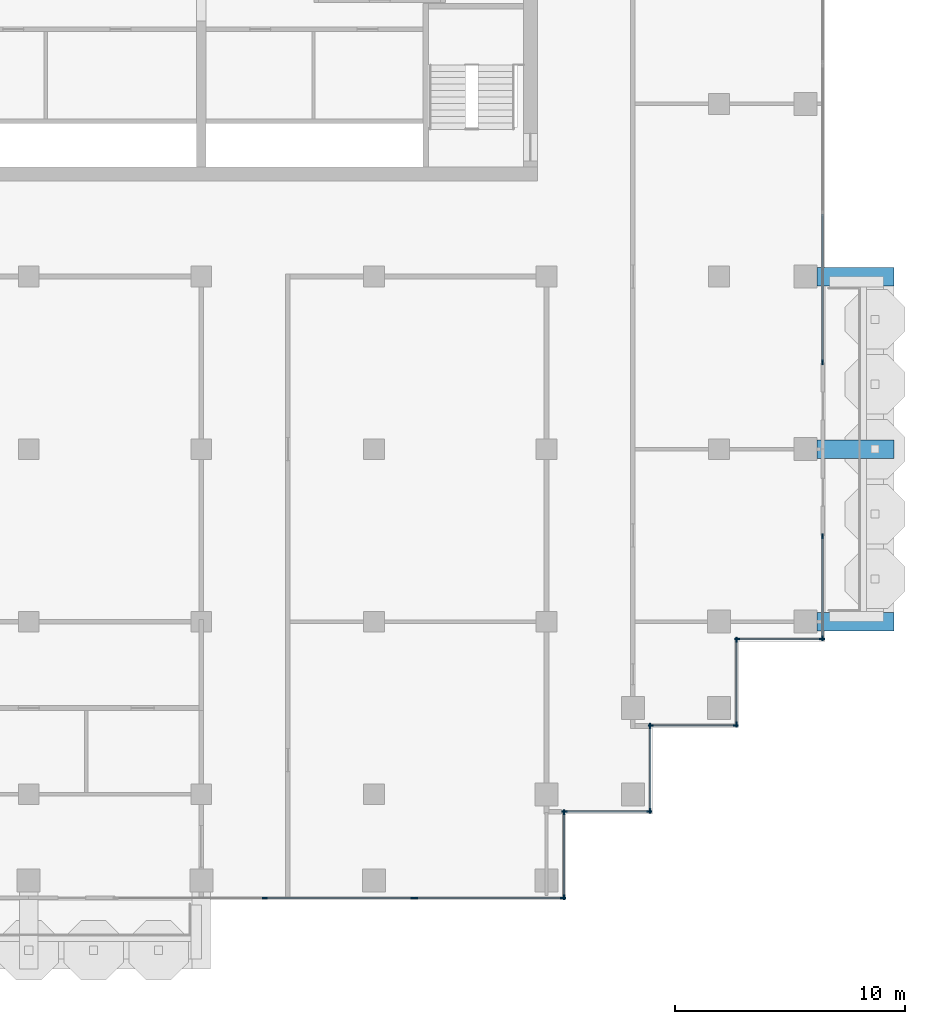
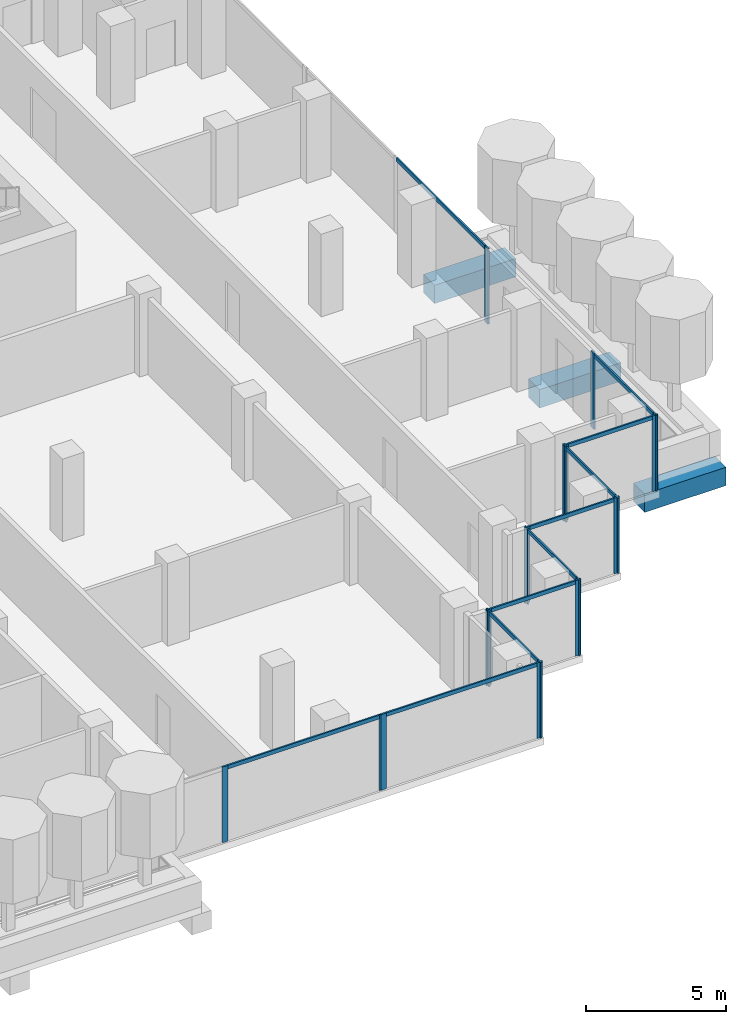
# One storey, part 4 of 17: 29 members, 3 beams, 10 elements without a shape of their own.
"""IFC4 building model written with IfcOpenShell, lengths in metres."""

import ifcopenshell
import ifcopenshell.guid

model = None  # the IFC model being written
_history = None  # IfcOwnerHistory: only IFC2X3 demands one
_inside = {}  # id of a spatial element -> (the spatial element, [elements in it])
_under = {}  # id of a project, library or spatial element -> (it, [spatial elements below it])
_declared = {}  # id of a project -> (the project, [libraries it declares])
_typed = {}  # id of a type object -> (the type object, [elements of that type])
_made_of = {}  # id of a material, layer set ... -> (it, [elements and type objects made of it])


def new_model(schema):
    """Start an empty IFC model of exactly this schema.

    Asked for "IFC4X3", IfcOpenShell would pick the latest addendum, in which some entities
    have other attributes; the version numbers below select the first issue.
    IFC2X3 requires an IfcOwnerHistory on every rooted entity: one is made here for all.
    """
    global model, _history
    if schema == "IFC4X3":
        model = ifcopenshell.file(schema_version=(4, 3, 0, 0))
    else:
        model = ifcopenshell.file(schema=schema)
    _inside.clear()
    _under.clear()
    _declared.clear()
    _typed.clear()
    _made_of.clear()
    _history = None
    if model.schema == "IFC2X3":
        org = make("IfcOrganization", Name="unknown")
        user = make(
            "IfcPersonAndOrganization",
            ThePerson=make("IfcPerson", FamilyName="unknown"),
            TheOrganization=org,
        )
        app = make(
            "IfcApplication",
            ApplicationDeveloper=org,
            Version="unknown",
            ApplicationFullName="unknown",
            ApplicationIdentifier="unknown",
        )
        _history = make(
            "IfcOwnerHistory",
            OwningUser=user,
            OwningApplication=app,
            ChangeAction="ADDED",
            CreationDate=0,
        )
    return model


def make(cls, **values):
    """One entity of the class cls with the attributes given. An attribute that is None is left unset."""
    return model.create_entity(
        cls, **{name: value for name, value in values.items() if value is not None}
    )


def rooted(cls, **values):
    """An entity with a GlobalId (a new one), such as an element, a storey or a relation."""
    return make(cls, GlobalId=ifcopenshell.guid.new(), OwnerHistory=_history, **values)


def si_unit(unit_type, name, prefix=None):
    """IfcSIUnit, for example si_unit("LENGTHUNIT", "METRE", prefix="MILLI")."""
    return make("IfcSIUnit", UnitType=unit_type, Prefix=prefix, Name=name)


def assignment(units):
    """IfcUnitAssignment: the units of a project."""
    return None if units is None else make("IfcUnitAssignment", Units=units)


def point(xyz):
    """IfcCartesianPoint."""
    return None if xyz is None else make("IfcCartesianPoint", Coordinates=xyz)


def direction(xyz):
    """IfcDirection."""
    return None if xyz is None else make("IfcDirection", DirectionRatios=xyz)


def frame(location, z_axis=None, x_axis=None):
    """IfcAxis2Placement3D, a coordinate frame: its origin and axes. An axis left out is left unset."""
    return make(
        "IfcAxis2Placement3D",
        Location=point(location),
        Axis=direction(z_axis),
        RefDirection=direction(x_axis),
    )


def frame_2d(location, x_axis=None):
    """IfcAxis2Placement2D, a coordinate frame in the plane: its origin and x axis."""
    return make(
        "IfcAxis2Placement2D", Location=point(location), RefDirection=direction(x_axis)
    )


def origin():
    """The frame at (0, 0, 0) with its axes left unset."""
    return frame((0.0, 0.0, 0.0))


def origin_2d():
    """The frame at (0, 0) in the plane with its x axis left unset."""
    return frame_2d((0.0, 0.0))


def place(relative_to, where):
    """IfcLocalPlacement: puts the frame where relative to a parent placement (None: the world)."""
    return make(
        "IfcLocalPlacement", PlacementRelTo=relative_to, RelativePlacement=where
    )


def context(
    kind, dimensions, precision=None, world=None, true_north=None, identifier=None
):
    """IfcGeometricRepresentationContext, for example the 3D "Model" context."""
    return make(
        "IfcGeometricRepresentationContext",
        ContextIdentifier=identifier,
        ContextType=kind,
        CoordinateSpaceDimension=dimensions,
        Precision=precision,
        WorldCoordinateSystem=world,
        TrueNorth=true_north,
    )


def subcontext(parent, identifier, kind, view, scale=None):
    """IfcGeometricRepresentationSubContext, for example "Body" below "Model"."""
    return make(
        "IfcGeometricRepresentationSubContext",
        ContextIdentifier=identifier,
        ContextType=kind,
        ParentContext=parent,
        TargetScale=scale,
        TargetView=view,
    )


def project(units=None, contexts=None):
    """IfcProject with its units and contexts."""
    return rooted(
        "IfcProject",
        Name="project",
        RepresentationContexts=contexts,
        UnitsInContext=assignment(units),
    )


def spatial(cls, under=None, at=None, **own):
    """A site, building, storey or space (cls), placed at a placement, below another one or the project."""
    s = rooted(cls, ObjectPlacement=at, **own)
    if under is not None:
        _under.setdefault(under.id(), (under, []))[1].append(s)
    return s


def profile(cls, at=None, kind="AREA", **sizes):
    """A parametric profile (cls). Its sizes go by their IFC names, for example OverallWidth=200.0."""
    return make(cls, ProfileType=kind, Position=at, **sizes)


def rectangle(**sizes):
    """IfcRectangleProfileDef."""
    return profile("IfcRectangleProfileDef", **sizes)


def extrude(swept, where, along, depth):
    """IfcExtrudedAreaSolid: the profile swept, set in the frame where, extruded along a direction by depth."""
    return make(
        "IfcExtrudedAreaSolid",
        SweptArea=swept,
        Position=where,
        ExtrudedDirection=direction(along),
        Depth=depth,
    )


def shape(context_of_items, identifier, shape_type, items):
    """IfcShapeRepresentation: the items that make up one representation, for example the "Body"."""
    return make(
        "IfcShapeRepresentation",
        ContextOfItems=context_of_items,
        RepresentationIdentifier=identifier,
        RepresentationType=shape_type,
        Items=items,
    )


def material(Name=None, Category=None):
    """IfcMaterial."""
    return make("IfcMaterial", Name=Name, Category=Category)


def material_profile(
    of_material, cross_section, Name=None, Category=None, Priority=None
):
    """IfcMaterialProfile: a cross section and its material."""
    return make(
        "IfcMaterialProfile",
        Name=Name,
        Material=of_material,
        Profile=cross_section,
        Priority=Priority,
        Category=Category,
    )


def profile_set(profiles, Name=None, composite=None):
    """IfcMaterialProfileSet."""
    return make(
        "IfcMaterialProfileSet",
        Name=Name,
        MaterialProfiles=profiles,
        CompositeProfile=composite,
    )


def made_of(thing, what):
    """Note that an element or type object is made of a material, layer set ...; save() writes the relation."""
    if what is not None:
        _made_of.setdefault(what.id(), (what, []))[1].append(thing)
    return thing


def type_object(cls, material=None, **own):
    """A type object (cls), such as IfcWallType, which elements share."""
    return made_of(rooted(cls, **own), material)


def element(
    cls,
    number,
    at=None,
    inside=None,
    cuts=None,
    type_object=None,
    material=None,
    context=None,
    identifier="Body",
    shape_type=None,
    held_by="IfcProductDefinitionShape",
    body=None,
    shapes=None,
    **own,
):
    """One element of the class cls, such as IfcWall. Its Tag is "e" and its number.

    at: its placement. inside: the storey or other place that contains it. cuts: it is an
    opening in that element (IfcRelVoidsElement). A single representation is given by context,
    identifier, shape_type and body (its items); several are given by shapes. held_by: the class
    of the entity that holds the representations. save() writes the other relations.
    """
    e = rooted(cls, Tag="e%d" % number, ObjectPlacement=at, **own)
    if body is not None:
        shapes = [shape(context, identifier, shape_type, body)]
    if shapes is not None:
        e.Representation = make(held_by, Representations=shapes)
    if inside is not None:
        _inside.setdefault(inside.id(), (inside, []))[1].append(e)
    if cuts is not None:
        rooted(
            "IfcRelVoidsElement", RelatingBuildingElement=cuts, RelatedOpeningElement=e
        )
    if type_object is not None:
        _typed.setdefault(type_object.id(), (type_object, []))[1].append(e)
    return made_of(e, material)


def aggregate(whole, parts):
    """IfcRelAggregates: a whole, such as a stair, and the parts it consists of."""
    return rooted("IfcRelAggregates", RelatingObject=whole, RelatedObjects=parts)


def save(model, path):
    """Write the relations noted so far, then the file.

    IfcRelAggregates (storeys below a building ...), IfcRelContainedInSpatialStructure (elements
    in a storey), IfcRelDefinesByType, IfcRelAssociatesMaterial and IfcRelDeclares: one each for
    every whole, place, type object, material and project.
    """
    for whole, parts in _under.values():
        aggregate(whole, parts)
    for where, things in _inside.values():
        rooted(
            "IfcRelContainedInSpatialStructure",
            RelatedElements=things,
            RelatingStructure=where,
        )
    for kind, things in _typed.values():
        rooted("IfcRelDefinesByType", RelatedObjects=things, RelatingType=kind)
    for what, things in _made_of.values():
        rooted("IfcRelAssociatesMaterial", RelatedObjects=things, RelatingMaterial=what)
    for by, libraries in _declared.values():
        rooted("IfcRelDeclares", RelatingContext=by, RelatedDefinitions=libraries)
    model.write(path)


model = new_model("IFC4")

# Units and contexts
model_context = context("Model", 3, precision=1e-05, world=origin(), true_north=direction((0.0, 1.0)))
body_context = subcontext(model_context, "Body", "Model", "MODEL_VIEW")
ifc_project = project(units=[si_unit("LENGTHUNIT", "METRE"), si_unit("AREAUNIT", "SQUARE_METRE"), si_unit("VOLUMEUNIT", "CUBIC_METRE"), si_unit("PLANEANGLEUNIT", "RADIAN"), si_unit("MASSUNIT", "GRAM", prefix="KILO")], contexts=[model_context])

# Site, building, storey
site_placement = place(None, origin())
site = spatial("IfcSite", under=ifc_project, at=site_placement, CompositionType="ELEMENT")
building_placement = place(site_placement, origin())
building = spatial("IfcBuilding", under=site, at=building_placement, Name="Pilkhan Gate Tower", CompositionType="ELEMENT")
storey_placement = place(building_placement, frame((0.0, 0.0, 213.89990234375)))
storey = spatial("IfcBuildingStorey", under=building, at=storey_placement, Name="L55", CompositionType="ELEMENT", Elevation=213.89990234375)

# Beams
ifc_material_1 = material(Name="Concrete C50/60", Category="concrete")
ifc_material_profile_1 = material_profile(ifc_material_1, rectangle(XDim=0.800048828125, YDim=0.800048828125, at=origin_2d()), Name="RC 800x800")
ifc_profile_set_1 = profile_set([ifc_material_profile_1], Name="Concrete C50/60")
beam_type = type_object("IfcBeamType", Name="Cantilever beam CB2 RC 800x800 C50/60", PredefinedType="BEAM", material=ifc_profile_set_1)
for number, where, z_axis, x_axis, name in (
    (1, (101.75, 52.5, -0.699951171875), (1.0, 0.0, 0.0), (0.0, 1.0, 0.0), "Balcony beam E.1 L55"),
    (2, (101.75, 60.0, -0.699951171875), (1.0, 0.0, 0.0), (0.0, 1.0, 0.0), "Balcony beam E.2 L55"),
    (3, (101.75, 67.5, -0.699951171875), (1.0, 0.0, 0.0), (0.0, 1.0, 0.0), "Balcony beam E.3 L55"),
):
    element("IfcBeam", number, at=place(storey_placement, frame(where, z_axis=z_axis, x_axis=x_axis)), inside=storey, type_object=beam_type, Name=name, PredefinedType="BEAM", context=body_context, shape_type="SweptSolid", body=[
        extrude(rectangle(XDim=0.800048828125, YDim=0.800048828125, at=origin_2d()), origin(), (0.0, 0.0, 1.0), 3.35009765625),
    ])

# Curtain wall, members
ifc_material_2 = material(Name="Pale anodised aluminium, clear low-iron double glazing", Category="aluminium")
curtain_wall_type = type_object("IfcCurtainWallType", Name="Office unitised curtain wall CW-O2", PredefinedType="USERDEFINED", material=ifc_material_2)
curtain_wall_1_placement = place(storey_placement, origin())
curtain_wall_1 = element("IfcCurtainWall", 4, at=curtain_wall_1_placement, inside=storey, type_object=curtain_wall_type, Name="Office unitised curtain wall CW-O2 L55 E", ObjectType="UNITISED CURTAIN WALL", PredefinedType="USERDEFINED")
ifc_material_3 = material(Name="Pale anodised aluminium", Category="aluminium")
ifc_material_profile_2 = material_profile(ifc_material_3, rectangle(XDim=0.06494140625, YDim=0.22509765625, at=origin_2d()), Name="Mullion 225x65")
ifc_profile_set_2 = profile_set([ifc_material_profile_2], Name="Pale anodised aluminium")
member_type_1 = type_object("IfcMemberType", Name="Mullion CW-O2 225x65", PredefinedType="MULLION", material=ifc_profile_set_2)
member_1_placement = place(storey_placement, frame((102.0, 51.782470703125, 0.0), z_axis=(0.0, 0.0, 1.0), x_axis=(-1.0, 0.0, 0.0)))
member_1 = element("IfcMember", 5, at=member_1_placement, type_object=member_type_1, Name="CW-O2 mullion 1", PredefinedType="MULLION", context=body_context, shape_type="SweptSolid", body=[
    extrude(rectangle(XDim=0.06494140625, YDim=0.22509765625, at=origin_2d()), origin(), (0.0, 0.0, 1.0), 3.300048828125),
])
member_2_placement = place(storey_placement, frame((102.0, 56.217529296875, 0.0), z_axis=(0.0, 0.0, 1.0), x_axis=(-1.0, 0.0, 0.0)))
member_2 = element("IfcMember", 6, at=member_2_placement, type_object=member_type_1, Name="CW-O2 mullion 2", PredefinedType="MULLION", context=body_context, shape_type="SweptSolid", body=[
    extrude(rectangle(XDim=0.06494140625, YDim=0.22509765625, at=origin_2d()), origin(), (0.0, 0.0, 1.0), 3.300048828125),
])

# Curtain wall, member
curtain_wall_2_placement = place(storey_placement, origin())
curtain_wall_2 = element("IfcCurtainWall", 7, at=curtain_wall_2_placement, inside=storey, type_object=curtain_wall_type, Name="Office unitised curtain wall CW-O2 L55 E", ObjectType="UNITISED CURTAIN WALL", PredefinedType="USERDEFINED")
member_3_placement = place(storey_placement, frame((102.0, 63.782470703125, 0.0), z_axis=(0.0, 0.0, 1.0), x_axis=(-1.0, 0.0, 0.0)))
member_3 = element("IfcMember", 8, at=member_3_placement, type_object=member_type_1, Name="CW-O2 mullion 1", PredefinedType="MULLION", context=body_context, shape_type="SweptSolid", body=[
    extrude(rectangle(XDim=0.06494140625, YDim=0.22509765625, at=origin_2d()), origin(), (0.0, 0.0, 1.0), 3.300048828125),
])

# Curtain wall, members
curtain_wall_3_placement = place(storey_placement, origin())
curtain_wall_3 = element("IfcCurtainWall", 9, at=curtain_wall_3_placement, inside=storey, type_object=curtain_wall_type, Name="Office unitised curtain wall CW-O2 L55 S", ObjectType="UNITISED CURTAIN WALL", PredefinedType="USERDEFINED")
member_4_placement = place(storey_placement, frame((77.75, 40.5, 0.0), z_axis=(0.0, 0.0, 1.0), x_axis=(0.0, 1.0, 0.0)))
member_4 = element("IfcMember", 10, at=member_4_placement, type_object=member_type_1, Name="CW-O2 mullion 2", PredefinedType="MULLION", context=body_context, shape_type="SweptSolid", body=[
    extrude(rectangle(XDim=0.06494140625, YDim=0.22509765625, at=origin_2d()), origin(), (0.0, 0.0, 1.0), 3.300048828125),
])
member_5_placement = place(storey_placement, frame((84.217529296875, 40.5, 0.0), z_axis=(0.0, 0.0, 1.0), x_axis=(0.0, 1.0, 0.0)))
member_5 = element("IfcMember", 11, at=member_5_placement, type_object=member_type_1, Name="CW-O2 mullion 3", PredefinedType="MULLION", context=body_context, shape_type="SweptSolid", body=[
    extrude(rectangle(XDim=0.06494140625, YDim=0.22509765625, at=origin_2d()), origin(), (0.0, 0.0, 1.0), 3.300048828125),
])

curtain_wall_4_placement = place(storey_placement, origin())
curtain_wall_4 = element("IfcCurtainWall", 12, at=curtain_wall_4_placement, inside=storey, type_object=curtain_wall_type, Name="Office unitised curtain wall CW-O2 L55 S", ObjectType="UNITISED CURTAIN WALL", PredefinedType="USERDEFINED")
member_6_placement = place(storey_placement, frame((84.282470703125, 40.5, 0.0), z_axis=(0.0, 0.0, 1.0), x_axis=(0.0, 1.0, 0.0)))
member_6 = element("IfcMember", 13, at=member_6_placement, type_object=member_type_1, Name="CW-O2 mullion 1", PredefinedType="MULLION", context=body_context, shape_type="SweptSolid", body=[
    extrude(rectangle(XDim=0.06494140625, YDim=0.22509765625, at=origin_2d()), origin(), (0.0, 0.0, 1.0), 3.300048828125),
])
member_7_placement = place(storey_placement, frame((90.717529296875, 40.5, 0.0), z_axis=(0.0, 0.0, 1.0), x_axis=(0.0, 1.0, 0.0)))
member_7 = element("IfcMember", 14, at=member_7_placement, type_object=member_type_1, Name="CW-O2 mullion 2", PredefinedType="MULLION", context=body_context, shape_type="SweptSolid", body=[
    extrude(rectangle(XDim=0.06494140625, YDim=0.22509765625, at=origin_2d()), origin(), (0.0, 0.0, 1.0), 3.300048828125),
])

curtain_wall_5_placement = place(storey_placement, origin())
curtain_wall_5 = element("IfcCurtainWall", 15, at=curtain_wall_5_placement, inside=storey, type_object=curtain_wall_type, Name="Office unitised curtain wall CW-O2 L55 E", ObjectType="UNITISED CURTAIN WALL", PredefinedType="USERDEFINED")
member_8_placement = place(storey_placement, frame((90.75, 40.532470703125, 0.0), z_axis=(0.0, 0.0, 1.0), x_axis=(-1.0, 0.0, 0.0)))
member_8 = element("IfcMember", 16, at=member_8_placement, type_object=member_type_1, Name="CW-O2 mullion 1", PredefinedType="MULLION", context=body_context, shape_type="SweptSolid", body=[
    extrude(rectangle(XDim=0.06494140625, YDim=0.22509765625, at=origin_2d()), origin(), (0.0, 0.0, 1.0), 3.300048828125),
])
member_9_placement = place(storey_placement, frame((90.75, 44.217529296875, 0.0), z_axis=(0.0, 0.0, 1.0), x_axis=(-1.0, 0.0, 0.0)))
member_9 = element("IfcMember", 17, at=member_9_placement, type_object=member_type_1, Name="CW-O2 mullion 2", PredefinedType="MULLION", context=body_context, shape_type="SweptSolid", body=[
    extrude(rectangle(XDim=0.06494140625, YDim=0.22509765625, at=origin_2d()), origin(), (0.0, 0.0, 1.0), 3.300048828125),
])

curtain_wall_6_placement = place(storey_placement, origin())
curtain_wall_6 = element("IfcCurtainWall", 18, at=curtain_wall_6_placement, inside=storey, type_object=curtain_wall_type, Name="Office unitised curtain wall CW-O2 L55 S", ObjectType="UNITISED CURTAIN WALL", PredefinedType="USERDEFINED")
member_10_placement = place(storey_placement, frame((90.782470703125, 44.25, 0.0), z_axis=(0.0, 0.0, 1.0), x_axis=(0.0, 1.0, 0.0)))
member_10 = element("IfcMember", 19, at=member_10_placement, type_object=member_type_1, Name="CW-O2 mullion 1", PredefinedType="MULLION", context=body_context, shape_type="SweptSolid", body=[
    extrude(rectangle(XDim=0.06494140625, YDim=0.22509765625, at=origin_2d()), origin(), (0.0, 0.0, 1.0), 3.300048828125),
])
member_11_placement = place(storey_placement, frame((94.467529296875, 44.25, 0.0), z_axis=(0.0, 0.0, 1.0), x_axis=(0.0, 1.0, 0.0)))
member_11 = element("IfcMember", 20, at=member_11_placement, type_object=member_type_1, Name="CW-O2 mullion 2", PredefinedType="MULLION", context=body_context, shape_type="SweptSolid", body=[
    extrude(rectangle(XDim=0.06494140625, YDim=0.22509765625, at=origin_2d()), origin(), (0.0, 0.0, 1.0), 3.300048828125),
])

curtain_wall_7_placement = place(storey_placement, origin())
curtain_wall_7 = element("IfcCurtainWall", 21, at=curtain_wall_7_placement, inside=storey, type_object=curtain_wall_type, Name="Office unitised curtain wall CW-O2 L55 E", ObjectType="UNITISED CURTAIN WALL", PredefinedType="USERDEFINED")
member_12_placement = place(storey_placement, frame((94.5, 44.282470703125, 0.0), z_axis=(0.0, 0.0, 1.0), x_axis=(-1.0, 0.0, 0.0)))
member_12 = element("IfcMember", 22, at=member_12_placement, type_object=member_type_1, Name="CW-O2 mullion 1", PredefinedType="MULLION", context=body_context, shape_type="SweptSolid", body=[
    extrude(rectangle(XDim=0.06494140625, YDim=0.22509765625, at=origin_2d()), origin(), (0.0, 0.0, 1.0), 3.300048828125),
])
member_13_placement = place(storey_placement, frame((94.5, 47.967529296875, 0.0), z_axis=(0.0, 0.0, 1.0), x_axis=(-1.0, 0.0, 0.0)))
member_13 = element("IfcMember", 23, at=member_13_placement, type_object=member_type_1, Name="CW-O2 mullion 2", PredefinedType="MULLION", context=body_context, shape_type="SweptSolid", body=[
    extrude(rectangle(XDim=0.06494140625, YDim=0.22509765625, at=origin_2d()), origin(), (0.0, 0.0, 1.0), 3.300048828125),
])

curtain_wall_8_placement = place(storey_placement, origin())
curtain_wall_8 = element("IfcCurtainWall", 24, at=curtain_wall_8_placement, inside=storey, type_object=curtain_wall_type, Name="Office unitised curtain wall CW-O2 L55 S", ObjectType="UNITISED CURTAIN WALL", PredefinedType="USERDEFINED")
member_14_placement = place(storey_placement, frame((94.532470703125, 48.0, 0.0), z_axis=(0.0, 0.0, 1.0), x_axis=(0.0, 1.0, 0.0)))
member_14 = element("IfcMember", 25, at=member_14_placement, type_object=member_type_1, Name="CW-O2 mullion 1", PredefinedType="MULLION", context=body_context, shape_type="SweptSolid", body=[
    extrude(rectangle(XDim=0.06494140625, YDim=0.22509765625, at=origin_2d()), origin(), (0.0, 0.0, 1.0), 3.300048828125),
])
member_15_placement = place(storey_placement, frame((98.217529296875, 48.0, 0.0), z_axis=(0.0, 0.0, 1.0), x_axis=(0.0, 1.0, 0.0)))
member_15 = element("IfcMember", 26, at=member_15_placement, type_object=member_type_1, Name="CW-O2 mullion 2", PredefinedType="MULLION", context=body_context, shape_type="SweptSolid", body=[
    extrude(rectangle(XDim=0.06494140625, YDim=0.22509765625, at=origin_2d()), origin(), (0.0, 0.0, 1.0), 3.300048828125),
])

curtain_wall_9_placement = place(storey_placement, origin())
curtain_wall_9 = element("IfcCurtainWall", 27, at=curtain_wall_9_placement, inside=storey, type_object=curtain_wall_type, Name="Office unitised curtain wall CW-O2 L55 E", ObjectType="UNITISED CURTAIN WALL", PredefinedType="USERDEFINED")
member_16_placement = place(storey_placement, frame((98.25, 48.032470703125, 0.0), z_axis=(0.0, 0.0, 1.0), x_axis=(-1.0, 0.0, 0.0)))
member_16 = element("IfcMember", 28, at=member_16_placement, type_object=member_type_1, Name="CW-O2 mullion 1", PredefinedType="MULLION", context=body_context, shape_type="SweptSolid", body=[
    extrude(rectangle(XDim=0.06494140625, YDim=0.22509765625, at=origin_2d()), origin(), (0.0, 0.0, 1.0), 3.300048828125),
])
member_17_placement = place(storey_placement, frame((98.25, 51.717529296875, 0.0), z_axis=(0.0, 0.0, 1.0), x_axis=(-1.0, 0.0, 0.0)))
member_17 = element("IfcMember", 29, at=member_17_placement, type_object=member_type_1, Name="CW-O2 mullion 2", PredefinedType="MULLION", context=body_context, shape_type="SweptSolid", body=[
    extrude(rectangle(XDim=0.06494140625, YDim=0.22509765625, at=origin_2d()), origin(), (0.0, 0.0, 1.0), 3.300048828125),
])

curtain_wall_10_placement = place(storey_placement, origin())
curtain_wall_10 = element("IfcCurtainWall", 30, at=curtain_wall_10_placement, inside=storey, type_object=curtain_wall_type, Name="Office unitised curtain wall CW-O2 L55 S", ObjectType="UNITISED CURTAIN WALL", PredefinedType="USERDEFINED")
member_18_placement = place(storey_placement, frame((98.282470703125, 51.75, 0.0), z_axis=(0.0, 0.0, 1.0), x_axis=(0.0, 1.0, 0.0)))
member_18 = element("IfcMember", 31, at=member_18_placement, type_object=member_type_1, Name="CW-O2 mullion 1", PredefinedType="MULLION", context=body_context, shape_type="SweptSolid", body=[
    extrude(rectangle(XDim=0.06494140625, YDim=0.22509765625, at=origin_2d()), origin(), (0.0, 0.0, 1.0), 3.300048828125),
])
member_19_placement = place(storey_placement, frame((101.967529296875, 51.75, 0.0), z_axis=(0.0, 0.0, 1.0), x_axis=(0.0, 1.0, 0.0)))
member_19 = element("IfcMember", 32, at=member_19_placement, type_object=member_type_1, Name="CW-O2 mullion 2", PredefinedType="MULLION", context=body_context, shape_type="SweptSolid", body=[
    extrude(rectangle(XDim=0.06494140625, YDim=0.22509765625, at=origin_2d()), origin(), (0.0, 0.0, 1.0), 3.300048828125),
])

# Member
ifc_material_profile_3 = material_profile(ifc_material_3, rectangle(XDim=0.06494140625, YDim=0.1650390625, at=origin_2d()), Name="Transom 165x65")
ifc_profile_set_3 = profile_set([ifc_material_profile_3], Name="Pale anodised aluminium")
member_type_2 = type_object("IfcMemberType", Name="Transom CW-O2 165x65", PredefinedType="USERDEFINED", material=ifc_profile_set_3)
member_20_placement = place(storey_placement, frame((102.0, 51.81494140625, 3.217529296875), z_axis=(0.0, 1.0, 0.0), x_axis=(-1.0, 0.0, 0.0)))
member_20 = element("IfcMember", 33, at=member_20_placement, type_object=member_type_2, Name="CW-O2 transom 1", ObjectType="TRANSOM", PredefinedType="USERDEFINED", context=body_context, shape_type="SweptSolid", body=[
    extrude(rectangle(XDim=0.06494140625, YDim=0.1650390625, at=origin_2d()), origin(), (0.0, 0.0, 1.0), 4.3701171875),
])

aggregate(curtain_wall_1, [member_1, member_2, member_20])

member_21_placement = place(storey_placement, frame((102.0, 63.81494140625, 3.217529296875), z_axis=(0.0, 1.0, 0.0), x_axis=(-1.0, 0.0, 0.0)))
member_21 = element("IfcMember", 34, at=member_21_placement, type_object=member_type_2, Name="CW-O2 transom 1", ObjectType="TRANSOM", PredefinedType="USERDEFINED", context=body_context, shape_type="SweptSolid", body=[
    extrude(rectangle(XDim=0.06494140625, YDim=0.1650390625, at=origin_2d()), origin(), (0.0, 0.0, 1.0), 6.402587890625),
])

aggregate(curtain_wall_2, [member_3, member_21])

member_22_placement = place(storey_placement, frame((77.782470703125, 40.5, 3.217529296875), z_axis=(1.0, 0.0, 0.0), x_axis=(0.0, 1.0, 0.0)))
member_22 = element("IfcMember", 35, at=member_22_placement, type_object=member_type_2, Name="CW-O2 transom 2", ObjectType="TRANSOM", PredefinedType="USERDEFINED", context=body_context, shape_type="SweptSolid", body=[
    extrude(rectangle(XDim=0.06494140625, YDim=0.1650390625, at=origin_2d()), origin(), (0.0, 0.0, 1.0), 6.402587890625),
])

aggregate(curtain_wall_3, [member_4, member_5, member_22])

member_23_placement = place(storey_placement, frame((84.31494140625, 40.5, 3.217529296875), z_axis=(1.0, 0.0, 0.0), x_axis=(0.0, 1.0, 0.0)))
member_23 = element("IfcMember", 36, at=member_23_placement, type_object=member_type_2, Name="CW-O2 transom 1", ObjectType="TRANSOM", PredefinedType="USERDEFINED", context=body_context, shape_type="SweptSolid", body=[
    extrude(rectangle(XDim=0.06494140625, YDim=0.1650390625, at=origin_2d()), origin(), (0.0, 0.0, 1.0), 6.3701171875),
])

aggregate(curtain_wall_4, [member_6, member_7, member_23])

member_24_placement = place(storey_placement, frame((90.75, 40.56494140625, 3.217529296875), z_axis=(0.0, 1.0, 0.0), x_axis=(-1.0, 0.0, 0.0)))
member_24 = element("IfcMember", 37, at=member_24_placement, type_object=member_type_2, Name="CW-O2 transom 1", ObjectType="TRANSOM", PredefinedType="USERDEFINED", context=body_context, shape_type="SweptSolid", body=[
    extrude(rectangle(XDim=0.06494140625, YDim=0.1650390625, at=origin_2d()), origin(), (0.0, 0.0, 1.0), 3.6201171875),
])

aggregate(curtain_wall_5, [member_8, member_9, member_24])

member_25_placement = place(storey_placement, frame((90.81494140625, 44.25, 3.217529296875), z_axis=(1.0, 0.0, 0.0), x_axis=(0.0, 1.0, 0.0)))
member_25 = element("IfcMember", 38, at=member_25_placement, type_object=member_type_2, Name="CW-O2 transom 1", ObjectType="TRANSOM", PredefinedType="USERDEFINED", context=body_context, shape_type="SweptSolid", body=[
    extrude(rectangle(XDim=0.06494140625, YDim=0.1650390625, at=origin_2d()), origin(), (0.0, 0.0, 1.0), 3.6201171875),
])

aggregate(curtain_wall_6, [member_10, member_11, member_25])

member_26_placement = place(storey_placement, frame((94.5, 44.31494140625, 3.217529296875), z_axis=(0.0, 1.0, 0.0), x_axis=(-1.0, 0.0, 0.0)))
member_26 = element("IfcMember", 39, at=member_26_placement, type_object=member_type_2, Name="CW-O2 transom 1", ObjectType="TRANSOM", PredefinedType="USERDEFINED", context=body_context, shape_type="SweptSolid", body=[
    extrude(rectangle(XDim=0.06494140625, YDim=0.1650390625, at=origin_2d()), origin(), (0.0, 0.0, 1.0), 3.6201171875),
])

aggregate(curtain_wall_7, [member_12, member_13, member_26])

member_27_placement = place(storey_placement, frame((94.56494140625, 48.0, 3.217529296875), z_axis=(1.0, 0.0, 0.0), x_axis=(0.0, 1.0, 0.0)))
member_27 = element("IfcMember", 40, at=member_27_placement, type_object=member_type_2, Name="CW-O2 transom 1", ObjectType="TRANSOM", PredefinedType="USERDEFINED", context=body_context, shape_type="SweptSolid", body=[
    extrude(rectangle(XDim=0.06494140625, YDim=0.1650390625, at=origin_2d()), origin(), (0.0, 0.0, 1.0), 3.6201171875),
])

aggregate(curtain_wall_8, [member_14, member_15, member_27])

member_28_placement = place(storey_placement, frame((98.25, 48.06494140625, 3.217529296875), z_axis=(0.0, 1.0, 0.0), x_axis=(-1.0, 0.0, 0.0)))
member_28 = element("IfcMember", 41, at=member_28_placement, type_object=member_type_2, Name="CW-O2 transom 1", ObjectType="TRANSOM", PredefinedType="USERDEFINED", context=body_context, shape_type="SweptSolid", body=[
    extrude(rectangle(XDim=0.06494140625, YDim=0.1650390625, at=origin_2d()), origin(), (0.0, 0.0, 1.0), 3.6201171875),
])

aggregate(curtain_wall_9, [member_16, member_17, member_28])

member_29_placement = place(storey_placement, frame((98.31494140625, 51.75, 3.217529296875), z_axis=(1.0, 0.0, 0.0), x_axis=(0.0, 1.0, 0.0)))
member_29 = element("IfcMember", 42, at=member_29_placement, type_object=member_type_2, Name="CW-O2 transom 1", ObjectType="TRANSOM", PredefinedType="USERDEFINED", context=body_context, shape_type="SweptSolid", body=[
    extrude(rectangle(XDim=0.06494140625, YDim=0.1650390625, at=origin_2d()), origin(), (0.0, 0.0, 1.0), 3.6201171875),
])

aggregate(curtain_wall_10, [member_18, member_19, member_29])

save(model, "model.ifc")
